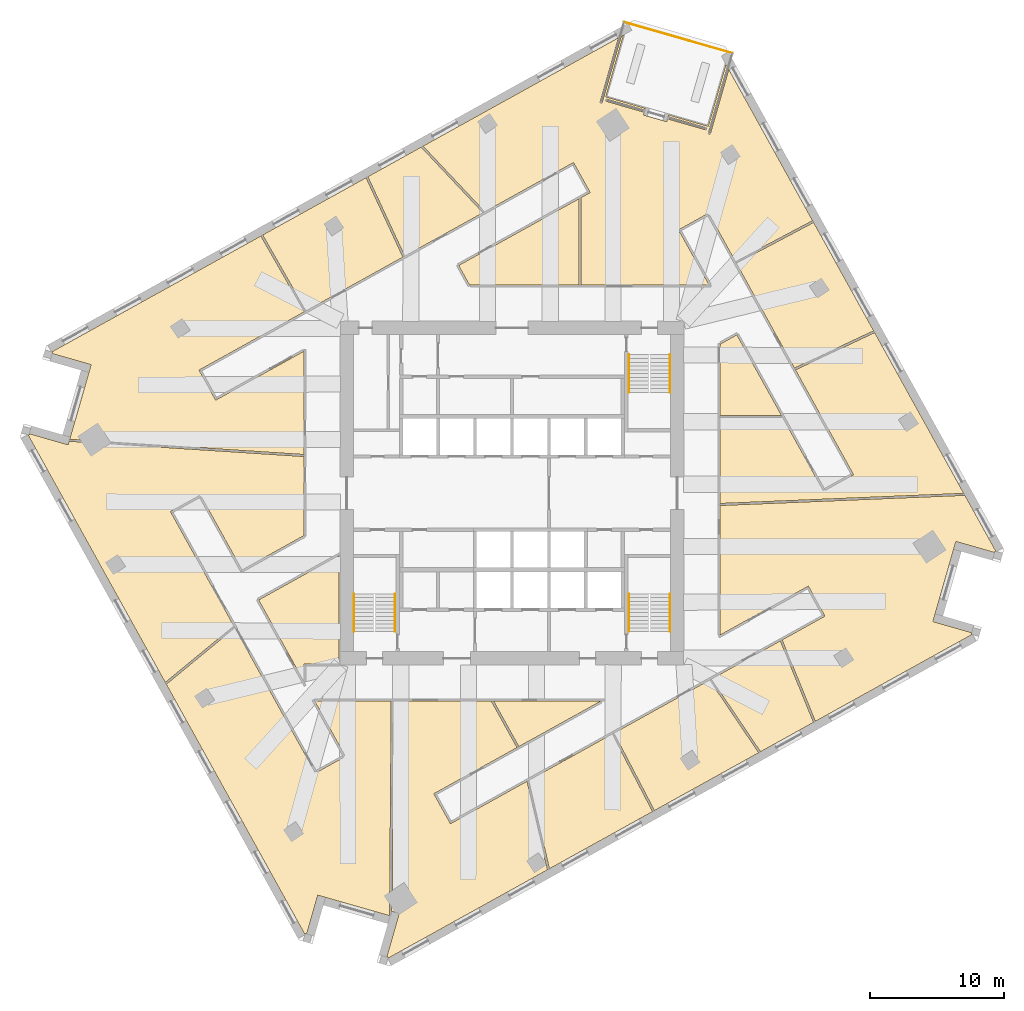
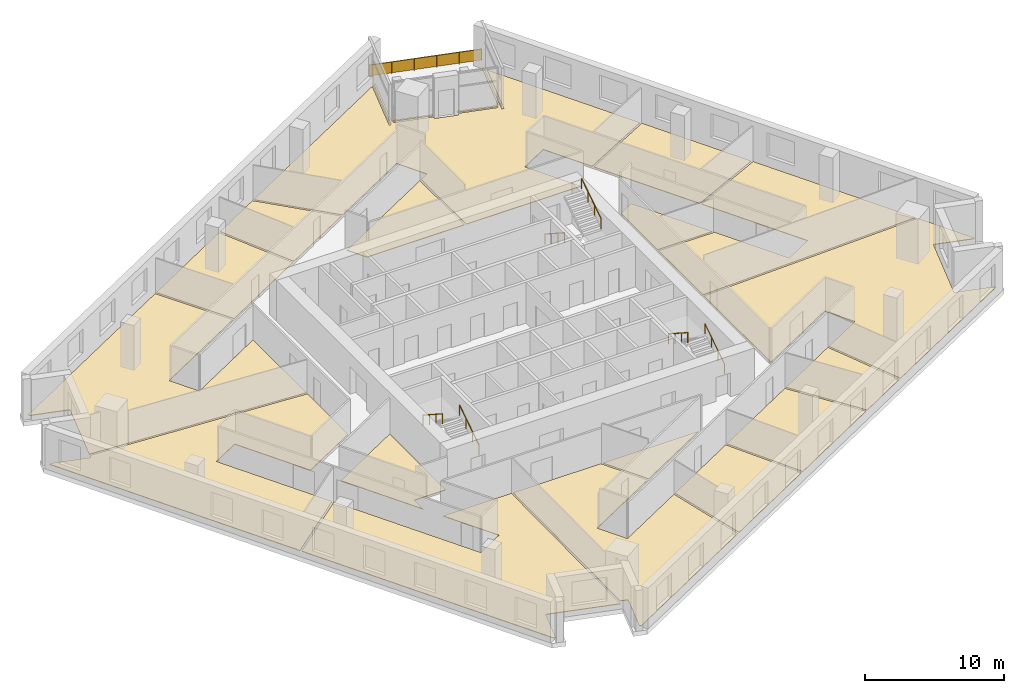
# One storey, part 10 of 11: 17 coverings, 7 railings.
"""IFC4 building model written with IfcOpenShell, lengths in metres."""

from ifc_helpers import new_model, si_unit, direction, frame, origin, origin_2d, place, context, subcontext, project, spatial, polyline, rectangle, circle, outline, extrude, material, layer, layer_set, type_object, element, save


model = new_model("IFC4")

# Units and contexts
model_context = context("Model", 3, precision=1e-05, world=origin(), true_north=direction((0.0, 1.0)))
body_context = subcontext(model_context, "Body", "Model", "MODEL_VIEW")
ifc_project = project(units=[si_unit("LENGTHUNIT", "METRE"), si_unit("AREAUNIT", "SQUARE_METRE"), si_unit("VOLUMEUNIT", "CUBIC_METRE"), si_unit("PLANEANGLEUNIT", "RADIAN"), si_unit("MASSUNIT", "GRAM", prefix="KILO")], contexts=[model_context])

# Site, building, storey
site_placement = place(None, origin())
site = spatial("IfcSite", under=ifc_project, at=site_placement, CompositionType="ELEMENT")
building_placement = place(site_placement, origin())
building = spatial("IfcBuilding", under=site, at=building_placement, Name="Dilmun Exchange Tower", CompositionType="ELEMENT")
storey_placement = place(building_placement, frame((0.0, 0.0, 135.699951171875)))
storey = spatial("IfcBuildingStorey", under=building, at=storey_placement, Name="L31", CompositionType="ELEMENT", Elevation=135.699951171875)

# Coverings
ifc_material_1 = material(Name="Carpet floor finish 50")
ifc_layer_1 = layer(ifc_material_1, 0.050048828125)
ifc_layer_set_1 = layer_set([ifc_layer_1], Name="Carpet floor finish 50")
covering_type_1 = type_object("IfcCoveringType", Name="Carpet floor finish 50", PredefinedType="FLOORING", material=ifc_layer_set_1)
covering_1_placement = place(storey_placement, origin())
element("IfcCovering", 1, at=covering_1_placement, inside=storey, type_object=covering_type_1, Name="Carpet floor finish 50 Open office 1", PredefinedType="FLOORING", context=body_context, shape_type="SweptSolid", body=[
    extrude(outline(polyline([(-15.47509765625, 2.724365234375), (-15.47509765625, -3.157470703125), (-20.093017578125, -5.71728515625), (-23.18701171875, -0.135498046875), (-25.4169921875, -1.371337890625), (-20.697265625, -9.886474609375), (-25.802001953125, -14.09033203125), (-36.01611328125, 4.33642578125), (-35.947998046875, 4.31689453125), (-35.94775390625, 4.31689453125), (-35.947509765625, 4.31689453125), (-35.947509765625, 4.31689453125), (-35.947265625, 4.31689453125), (-35.947021484375, 4.31689453125), (-35.94677734375, 4.31689453125), (-35.946533203125, 4.31689453125), (-35.946533203125, 4.317138671875), (-35.9462890625, 4.317138671875), (-35.946044921875, 4.3173828125), (-35.946044921875, 4.3173828125), (-35.94580078125, 4.317626953125), (-35.94580078125, 4.31787109375), (-35.94580078125, 4.31787109375), (-35.945556640625, 4.318115234375), (-35.945556640625, 4.318359375), (-35.915283203125, 4.42333984375), (-33.033447265625, 3.596923828125), (-33.033203125, 3.596923828125), (-33.033203125, 3.596923828125), (-33.032958984375, 3.596923828125), (-33.03271484375, 3.596923828125), (-33.032470703125, 3.596923828125), (-33.0322265625, 3.596923828125), (-33.031982421875, 3.59716796875), (-33.031982421875, 3.59716796875), (-33.03173828125, 3.597412109375), (-33.031494140625, 3.597412109375), (-33.031494140625, 3.597412109375), (-33.03125, 3.59765625), (-33.03125, 3.597900390625), (-33.031005859375, 3.597900390625), (-33.031005859375, 3.59814453125), (-33.031005859375, 3.598388671875), (-32.9560546875, 3.85986328125), (-15.47509765625, 2.724365234375)])), origin(), (0.0, 0.0, 1.0), 0.050048828125),
])
covering_2_placement = place(storey_placement, origin())
element("IfcCovering", 2, at=covering_2_placement, inside=storey, type_object=covering_type_1, Name="Carpet floor finish 50 Analyst office 1", PredefinedType="FLOORING", context=body_context, shape_type="SweptSolid", body=[
    extrude(outline(polyline([(-15.459228515625, 13.4921875), (-23.288818359375, 9.152099609375), (-22.052490234375, 6.921875), (-15.47509765625, 10.568115234375), (-15.47509765625, 2.87451171875), (-32.91357421875, 4.007568359375), (-32.865478515625, 4.175048828125), (-32.865478515625, 4.17529296875), (-32.865478515625, 4.17529296875), (-31.4873046875, 8.9814453125), (-31.4873046875, 8.981689453125), (-31.4873046875, 8.981689453125), (-31.4873046875, 8.98193359375), (-31.322021484375, 9.55810546875), (-31.322021484375, 9.558349609375), (-31.322021484375, 9.55859375), (-31.322021484375, 9.558837890625), (-31.322021484375, 9.55908203125), (-31.322021484375, 9.55908203125), (-31.322021484375, 9.559326171875), (-31.322265625, 9.5595703125), (-31.322265625, 9.559814453125), (-31.322509765625, 9.559814453125), (-31.322509765625, 9.56005859375), (-31.322509765625, 9.560302734375), (-31.32275390625, 9.560302734375), (-31.322998046875, 9.560546875), (-31.322998046875, 9.560546875), (-31.3232421875, 9.560546875), (-31.323486328125, 9.560791015625), (-34.205322265625, 10.386962890625), (-34.17529296875, 10.4921875), (-34.17529296875, 10.4921875), (-34.175048828125, 10.492431640625), (-34.175048828125, 10.49267578125), (-34.175048828125, 10.492919921875), (-34.17529296875, 10.492919921875), (-34.17529296875, 10.4931640625), (-34.17529296875, 10.493408203125), (-34.17529296875, 10.49365234375), (-34.175537109375, 10.49365234375), (-34.175537109375, 10.493896484375), (-34.17578125, 10.493896484375), (-34.17578125, 10.494140625), (-34.176025390625, 10.494384765625), (-34.17626953125, 10.494384765625), (-34.176513671875, 10.494384765625), (-34.176513671875, 10.494384765625), (-34.24462890625, 10.51416015625), (-18.68798828125, 19.13720703125), (-15.459228515625, 13.4921875)])), origin(), (0.0, 0.0, 1.0), 0.050048828125),
])
covering_3_placement = place(storey_placement, origin())
element("IfcCovering", 3, at=covering_3_placement, inside=storey, type_object=covering_type_1, Name="Carpet floor finish 50 Analyst office 2", PredefinedType="FLOORING", context=body_context, shape_type="SweptSolid", body=[
    extrude(outline(polyline([(-14.68408203125, -15.47509765625), (-8.986572265625, -15.47509765625), (-9.112060546875, -31.449951171875), (-13.875, -30.084228515625), (-13.875244140625, -30.083984375), (-13.87548828125, -30.083984375), (-14.4521484375, -29.918701171875), (-14.452392578125, -29.918701171875), (-14.452392578125, -29.918701171875), (-14.45263671875, -29.918701171875), (-14.452880859375, -29.918701171875), (-14.453125, -29.918701171875), (-14.453369140625, -29.918701171875), (-14.45361328125, -29.918701171875), (-14.45361328125, -29.9189453125), (-14.453857421875, -29.9189453125), (-14.4541015625, -29.919189453125), (-14.4541015625, -29.919189453125), (-14.4541015625, -29.91943359375), (-14.454345703125, -29.91943359375), (-14.45458984375, -29.919677734375), (-14.45458984375, -29.919921875), (-14.45458984375, -29.920166015625), (-15.281005859375, -32.802001953125), (-15.385986328125, -32.77197265625), (-15.38623046875, -32.771728515625), (-15.386474609375, -32.771728515625), (-15.38671875, -32.771728515625), (-15.386962890625, -32.771728515625), (-15.386962890625, -32.77197265625), (-15.38720703125, -32.77197265625), (-15.387451171875, -32.77197265625), (-15.3876953125, -32.772216796875), (-15.3876953125, -32.772216796875), (-15.387939453125, -32.772216796875), (-15.38818359375, -32.7724609375), (-15.38818359375, -32.772705078125), (-15.38818359375, -32.772705078125), (-15.388427734375, -32.77294921875), (-15.388427734375, -32.773193359375), (-15.388671875, -32.773193359375), (-15.408203125, -32.84130859375), (-25.72802734375, -14.2236328125), (-20.623291015625, -10.02001953125), (-14.632080078125, -20.828369140625), (-12.40185546875, -19.592041015625), (-14.68408203125, -15.47509765625)])), origin(), (0.0, 0.0, 1.0), 0.050048828125),
])
covering_4_placement = place(storey_placement, origin())
element("IfcCovering", 4, at=covering_4_placement, inside=storey, type_object=covering_type_1, Name="Carpet floor finish 50 Meeting room 1", PredefinedType="FLOORING", context=body_context, shape_type="SweptSolid", body=[
    extrude(outline(polyline([(-12.875, -4.6318359375), (-12.875, -12.724853515625), (-15.474609375, -12.72509765625), (-15.47509765625, -14.048095703125), (-18.856689453125, -7.947509765625), (-12.875, -4.6318359375)])), origin(), (0.0, 0.0, 1.0), 0.050048828125),
])
covering_5_placement = place(storey_placement, origin())
element("IfcCovering", 5, at=covering_5_placement, inside=storey, type_object=covering_type_1, Name="Carpet floor finish 50 Break-out lounge 1", PredefinedType="FLOORING", context=body_context, shape_type="SweptSolid", body=[
    extrude(outline(polyline([(-8.11376953125, 17.56396484375), (-15.328125, 13.56494140625), (-18.556884765625, 19.2099609375), (-10.860595703125, 23.476318359375), (-8.11376953125, 17.56396484375)])), origin(), (0.0, 0.0, 1.0), 0.050048828125),
])
covering_6_placement = place(storey_placement, origin())
element("IfcCovering", 6, at=covering_6_placement, inside=storey, type_object=covering_type_1, Name="Carpet floor finish 50 Open office 2", PredefinedType="FLOORING", context=body_context, shape_type="SweptSolid", body=[
    extrude(outline(polyline([(-8.836669921875, -15.47509765625), (-1.54052734375, -15.47509765625), (0.3779296875, -18.936279296875), (-5.81591796875, -22.3701171875), (-4.579345703125, -24.599853515625), (1.1162109375, -21.442626953125), (2.647216796875, -28.02880859375), (-9.23046875, -34.61279296875), (-9.2109375, -34.544677734375), (-9.2109375, -34.54443359375), (-9.210693359375, -34.544189453125), (-9.210693359375, -34.5439453125), (-9.210693359375, -34.543701171875), (-9.2109375, -34.543701171875), (-9.2109375, -34.54345703125), (-9.2109375, -34.543212890625), (-9.211181640625, -34.54296875), (-9.211181640625, -34.54296875), (-9.211181640625, -34.542724609375), (-9.21142578125, -34.54248046875), (-9.211669921875, -34.54248046875), (-9.211669921875, -34.542236328125), (-9.2119140625, -34.542236328125), (-9.212158203125, -34.542236328125), (-9.21240234375, -34.5419921875), (-9.3173828125, -34.511962890625), (-8.392822265625, -31.288330078125), (-8.392822265625, -31.2880859375), (-8.392822265625, -31.2880859375), (-8.392822265625, -31.287841796875), (-8.392822265625, -31.28759765625), (-8.392822265625, -31.287353515625), (-8.392822265625, -31.287109375), (-8.39306640625, -31.287109375), (-8.39306640625, -31.286865234375), (-8.393310546875, -31.28662109375), (-8.393310546875, -31.28662109375), (-8.393310546875, -31.286376953125), (-8.3935546875, -31.2861328125), (-8.393798828125, -31.2861328125), (-8.393798828125, -31.285888671875), (-8.39404296875, -31.285888671875), (-8.394287109375, -31.285888671875), (-8.959716796875, -31.123779296875), (-8.836669921875, -15.47509765625)])), origin(), (0.0, 0.0, 1.0), 0.050048828125),
])
covering_7_placement = place(storey_placement, origin())
element("IfcCovering", 7, at=covering_7_placement, inside=storey, type_object=covering_type_1, Name="Carpet floor finish 50 Meeting room 2", PredefinedType="FLOORING", context=body_context, shape_type="SweptSolid", body=[
    extrude(outline(polyline([(-1.369140625, -15.47509765625), (6.62255859375, -15.47509765625), (0.50927734375, -18.863525390625), (-1.369140625, -15.47509765625)])), origin(), (0.0, 0.0, 1.0), 0.050048828125),
])
covering_8_placement = place(storey_placement, origin())
element("IfcCovering", 8, at=covering_8_placement, inside=storey, type_object=covering_type_1, Name="Carpet floor finish 50 Break-out lounge 2", PredefinedType="FLOORING", context=body_context, shape_type="SweptSolid", body=[
    extrude(outline(polyline([(7.4580078125, -17.927490234375), (10.466796875, -23.6943359375), (2.78369140625, -27.953125), (1.252685546875, -21.3671875), (7.4580078125, -17.927490234375)])), origin(), (0.0, 0.0, 1.0), 0.050048828125),
])
covering_9_placement = place(storey_placement, origin())
element("IfcCovering", 9, at=covering_9_placement, inside=storey, type_object=covering_type_1, Name="Carpet floor finish 50 Garden lounge", PredefinedType="FLOORING", context=body_context, shape_type="SweptSolid", body=[
    extrude(outline(polyline([(14.632080078125, 20.828369140625), (12.40185546875, 19.592041015625), (14.68408203125, 15.47509765625), (5.120361328125, 15.47509765625), (5.120361328125, 21.984130859375), (5.81591796875, 22.36962890625), (4.57958984375, 24.60009765625), (-2.021240234375, 20.94091796875), (-6.622802734375, 25.8251953125), (7.922119140625, 33.887451171875), (6.540283203125, 29.068603515625), (6.540283203125, 29.068359375), (6.540283203125, 29.068115234375), (6.540283203125, 29.068115234375), (6.540283203125, 29.06787109375), (6.540283203125, 29.067626953125), (6.540283203125, 29.0673828125), (6.540283203125, 29.0673828125), (6.540283203125, 29.067138671875), (6.54052734375, 29.06689453125), (6.540771484375, 29.06689453125), (6.540771484375, 29.066650390625), (6.541015625, 29.06640625), (6.541015625, 29.06640625), (6.541259765625, 29.06640625), (6.54150390625, 29.066162109375), (6.54150390625, 29.066162109375), (6.6953125, 29.02197265625), (6.695556640625, 29.02197265625), (6.69580078125, 29.02197265625), (6.696044921875, 29.02197265625), (6.6962890625, 29.02197265625), (6.6962890625, 29.02197265625), (6.696533203125, 29.02197265625), (6.69677734375, 29.022216796875), (6.697021484375, 29.022216796875), (6.697021484375, 29.022216796875), (6.697265625, 29.0224609375), (6.697509765625, 29.022705078125), (6.697509765625, 29.022705078125), (6.69775390625, 29.02294921875), (6.69775390625, 29.02294921875), (6.697998046875, 29.023193359375), (6.697998046875, 29.0234375), (8.125, 34.0), (8.3017578125, 34.097900390625), (6.97998046875, 29.48876953125), (9.923583984375, 28.64453125), (9.884033203125, 28.507080078125), (7.0126953125, 29.33056640625), (7.012451171875, 29.33056640625), (7.01220703125, 29.33056640625), (7.01220703125, 29.33056640625), (7.011962890625, 29.33056640625), (7.01171875, 29.33056640625), (7.011474609375, 29.33056640625), (7.011474609375, 29.330322265625), (7.01123046875, 29.330322265625), (7.010986328125, 29.330078125), (7.010986328125, 29.330078125), (7.0107421875, 29.330078125), (7.010498046875, 29.329833984375), (7.010498046875, 29.32958984375), (7.010498046875, 29.32958984375), (7.01025390625, 29.329345703125), (7.01025390625, 29.3291015625), (6.966064453125, 29.17529296875), (6.966064453125, 29.17529296875), (6.966064453125, 29.175048828125), (6.966064453125, 29.1748046875), (6.966064453125, 29.174560546875), (6.966064453125, 29.17431640625), (6.966064453125, 29.17431640625), (6.96630859375, 29.174072265625), (6.96630859375, 29.173828125), (6.96630859375, 29.173583984375), (6.966552734375, 29.173583984375), (6.966796875, 29.17333984375), (6.966796875, 29.173095703125), (6.967041015625, 29.173095703125), (6.967041015625, 29.173095703125), (6.96728515625, 29.1728515625), (6.967529296875, 29.1728515625), (9.8388671875, 28.349609375), (9.77880859375, 28.139892578125), (9.77880859375, 28.139892578125), (9.77880859375, 28.1396484375), (9.77880859375, 28.139404296875), (9.77880859375, 28.13916015625), (9.77880859375, 28.138916015625), (9.77880859375, 28.138916015625), (9.77880859375, 28.138671875), (9.779052734375, 28.138427734375), (9.779052734375, 28.13818359375), (9.779296875, 28.13818359375), (9.779296875, 28.137939453125), (9.779541015625, 28.137939453125), (9.779541015625, 28.1376953125), (9.77978515625, 28.1376953125), (9.780029296875, 28.1376953125), (9.7802734375, 28.137451171875), (11.510498046875, 27.641357421875), (11.5107421875, 27.641357421875), (11.510986328125, 27.641357421875), (11.510986328125, 27.641357421875), (11.51123046875, 27.641357421875), (11.511474609375, 27.641357421875), (11.51171875, 27.641357421875), (11.51171875, 27.6416015625), (11.511962890625, 27.6416015625), (11.51220703125, 27.6416015625), (11.51220703125, 27.641845703125), (11.512451171875, 27.641845703125), (11.5126953125, 27.64208984375), (11.5126953125, 27.64208984375), (11.5126953125, 27.642333984375), (11.512939453125, 27.642578125), (11.512939453125, 27.642822265625), (11.572998046875, 27.852294921875), (14.4443359375, 27.02880859375), (14.444580078125, 27.02880859375), (14.44482421875, 27.02880859375), (14.445068359375, 27.02880859375), (14.4453125, 27.02880859375), (14.4453125, 27.02880859375), (14.445556640625, 27.02880859375), (14.44580078125, 27.029052734375), (14.44580078125, 27.029052734375), (14.446044921875, 27.029296875), (14.4462890625, 27.029296875), (14.4462890625, 27.029296875), (14.446533203125, 27.029541015625), (14.446533203125, 27.02978515625), (14.44677734375, 27.02978515625), (14.44677734375, 27.030029296875), (14.447021484375, 27.0302734375), (14.490966796875, 27.18408203125), (14.490966796875, 27.18408203125), (14.490966796875, 27.184326171875), (14.4912109375, 27.1845703125), (14.490966796875, 27.184814453125), (14.490966796875, 27.18505859375), (14.490966796875, 27.185302734375), (14.490966796875, 27.185302734375), (14.49072265625, 27.185546875), (14.49072265625, 27.185791015625), (14.490478515625, 27.185791015625), (14.490478515625, 27.18603515625), (14.490234375, 27.186279296875), (14.489990234375, 27.186279296875), (14.489990234375, 27.186279296875), (14.48974609375, 27.1865234375), (14.489501953125, 27.1865234375), (11.6181640625, 28.010009765625), (11.65771484375, 28.1474609375), (14.60107421875, 27.303466796875), (15.9228515625, 31.91259765625), (16.02099609375, 31.73583984375), (14.593994140625, 26.75927734375), (14.59375, 26.759033203125), (14.59375, 26.7587890625), (14.59375, 26.7587890625), (14.59375, 26.758544921875), (14.59375, 26.75830078125), (14.593994140625, 26.758056640625), (14.593994140625, 26.758056640625), (14.593994140625, 26.7578125), (14.59423828125, 26.757568359375), (14.59423828125, 26.757568359375), (14.594482421875, 26.75732421875), (14.594482421875, 26.757080078125), (14.5947265625, 26.757080078125), (14.594970703125, 26.757080078125), (14.59521484375, 26.7568359375), (14.59521484375, 26.7568359375), (14.7490234375, 26.712646484375), (14.749267578125, 26.712646484375), (14.74951171875, 26.712646484375), (14.74951171875, 26.712646484375), (14.749755859375, 26.712646484375), (14.75, 26.712646484375), (14.750244140625, 26.712646484375), (14.75048828125, 26.712890625), (14.75048828125, 26.712890625), (14.750732421875, 26.712890625), (14.7509765625, 26.713134765625), (14.7509765625, 26.71337890625), (14.751220703125, 26.71337890625), (14.751220703125, 26.713623046875), (14.75146484375, 26.713623046875), (14.75146484375, 26.7138671875), (14.75146484375, 26.714111328125), (16.13330078125, 31.532958984375), (22.373291015625, 20.275390625), (16.62451171875, 17.234130859375), (14.632080078125, 20.828369140625)])), origin(), (0.0, 0.0, 1.0), 0.050048828125),
])
covering_10_placement = place(storey_placement, origin())
element("IfcCovering", 10, at=covering_10_placement, inside=storey, type_object=covering_type_1, Name="Carpet floor finish 50 Break-out lounge 3", PredefinedType="FLOORING", context=body_context, shape_type="SweptSolid", body=[
    extrude(outline(polyline([(7.589111328125, -17.854736328125), (14.709228515625, -13.907958984375), (18.359375, -19.319580078125), (10.597900390625, -23.62158203125), (7.589111328125, -17.854736328125)])), origin(), (0.0, 0.0, 1.0), 0.050048828125),
])
covering_11_placement = place(storey_placement, origin())
element("IfcCovering", 11, at=covering_11_placement, inside=storey, type_object=covering_type_1, Name="Carpet floor finish 50 Meeting room 3", PredefinedType="FLOORING", context=body_context, shape_type="SweptSolid", body=[
    extrude(outline(polyline([(15.47509765625, 11.082763671875), (16.732421875, 11.77978515625), (20.052001953125, 5.790771484375), (15.47509765625, 5.790771484375), (15.47509765625, 11.082763671875)])), origin(), (0.0, 0.0, 1.0), 0.050048828125),
])
covering_12_placement = place(storey_placement, origin())
element("IfcCovering", 12, at=covering_12_placement, inside=storey, type_object=covering_type_1, Name="Carpet floor finish 50 Break-out lounge 4", PredefinedType="FLOORING", context=body_context, shape_type="SweptSolid", body=[
    extrude(outline(polyline([(16.697265625, 17.102783203125), (22.4462890625, 20.144287109375), (26.9169921875, 12.07861328125), (21.01904296875, 9.306396484375), (16.697265625, 17.102783203125)])), origin(), (0.0, 0.0, 1.0), 0.050048828125),
])
covering_13_placement = place(storey_placement, origin())
element("IfcCovering", 13, at=covering_13_placement, inside=storey, type_object=covering_type_1, Name="Carpet floor finish 50 Open office 3", PredefinedType="FLOORING", context=body_context, shape_type="SweptSolid", body=[
    extrude(outline(polyline([(20.10205078125, -10.918701171875), (23.288818359375, -9.152099609375), (22.052490234375, -6.921875), (15.47509765625, -10.568115234375), (15.47509765625, -0.920166015625), (33.70263671875, -0.1630859375), (36.01611328125, -4.33642578125), (35.947998046875, -4.31689453125), (35.94775390625, -4.31689453125), (35.947509765625, -4.31689453125), (35.947509765625, -4.31689453125), (35.947265625, -4.31689453125), (35.947021484375, -4.31689453125), (35.94677734375, -4.31689453125), (35.946533203125, -4.31689453125), (35.946533203125, -4.317138671875), (35.9462890625, -4.317138671875), (35.946044921875, -4.3173828125), (35.946044921875, -4.3173828125), (35.94580078125, -4.317626953125), (35.94580078125, -4.31787109375), (35.94580078125, -4.31787109375), (35.945556640625, -4.318115234375), (35.945556640625, -4.318359375), (35.915283203125, -4.42333984375), (33.033447265625, -3.596923828125), (33.033203125, -3.596923828125), (33.033203125, -3.596923828125), (33.032958984375, -3.596923828125), (33.03271484375, -3.596923828125), (33.032470703125, -3.596923828125), (33.0322265625, -3.596923828125), (33.031982421875, -3.59716796875), (33.031982421875, -3.59716796875), (33.03173828125, -3.597412109375), (33.031494140625, -3.597412109375), (33.031494140625, -3.597412109375), (33.03125, -3.59765625), (33.03125, -3.597900390625), (33.031005859375, -3.597900390625), (33.031005859375, -3.59814453125), (33.031005859375, -3.598388671875), (32.865478515625, -4.175048828125), (32.865478515625, -4.17529296875), (32.865478515625, -4.17529296875), (31.4873046875, -8.9814453125), (31.4873046875, -8.981689453125), (31.4873046875, -8.981689453125), (31.4873046875, -8.98193359375), (31.322021484375, -9.55810546875), (31.322021484375, -9.558349609375), (31.322021484375, -9.55859375), (31.322021484375, -9.558837890625), (31.322021484375, -9.55908203125), (31.322021484375, -9.55908203125), (31.322021484375, -9.559326171875), (31.322265625, -9.5595703125), (31.322265625, -9.559814453125), (31.322509765625, -9.559814453125), (31.322509765625, -9.56005859375), (31.322509765625, -9.560302734375), (31.32275390625, -9.560302734375), (31.322998046875, -9.560546875), (31.322998046875, -9.560546875), (31.3232421875, -9.560546875), (31.323486328125, -9.560791015625), (34.205322265625, -10.386962890625), (34.17529296875, -10.4921875), (34.17529296875, -10.4921875), (34.175048828125, -10.492431640625), (34.175048828125, -10.49267578125), (34.175048828125, -10.492919921875), (34.17529296875, -10.492919921875), (34.17529296875, -10.4931640625), (34.17529296875, -10.493408203125), (34.17529296875, -10.49365234375), (34.175537109375, -10.49365234375), (34.175537109375, -10.493896484375), (34.17578125, -10.493896484375), (34.17578125, -10.494140625), (34.176025390625, -10.494384765625), (34.17626953125, -10.494384765625), (34.176513671875, -10.494384765625), (34.176513671875, -10.494384765625), (34.24462890625, -10.51416015625), (22.57373046875, -16.9833984375), (20.10205078125, -10.918701171875)])), origin(), (0.0, 0.0, 1.0), 0.050048828125),
])

# Railings
ifc_material_2 = material(Name="Stainless steel", Category="steel")
railing_type_1 = type_object("IfcRailingType", Name="Stair handrail 900", PredefinedType="HANDRAIL", material=ifc_material_2)
railing_1_placement = place(storey_placement, frame((8.699951171875, 10.300048828125, 0.181884765625)))
element("IfcRailing", 14, at=railing_1_placement, inside=storey, type_object=railing_type_1, Name="L31 ST1 stair handrail 1", PredefinedType="HANDRAIL", context=body_context, shape_type="SweptSolid", body=[
    extrude(circle(Radius=0.02392578125, at=origin_2d()), frame((0.0, 0.0, 0.8759765625), z_axis=(0.0, -0.838705829183, 0.544584733623), x_axis=(1.0, 0.0, 0.0)), (0.0, 0.0, 1.0), 3.338623046875),
    extrude(circle(Radius=0.02099609375, at=origin_2d()), origin(), (0.0, 0.0, 1.0), 0.851806640625),
    extrude(circle(Radius=0.02099609375, at=origin_2d()), frame((0.0, -0.933349609375, 0.60595703125)), (0.0, 0.0, 1.0), 0.851806640625),
    extrude(circle(Radius=0.02099609375, at=origin_2d()), frame((0.0, -1.86669921875, 1.212158203125)), (0.0, 0.0, 1.0), 0.851806640625),
    extrude(circle(Radius=0.02099609375, at=origin_2d()), frame((0.0, -2.800048828125, 1.818115234375)), (0.0, 0.0, 1.0), 0.851806640625),
])
for number, where, name in (
    (15, (11.75, 7.5, 2.181884765625), "L31 ST1 stair handrail 2"),
    (16, (-8.699951171875, -10.300048828125, 0.181884765625), "L31 ST2 stair handrail 1"),
):
    element("IfcRailing", number, at=place(storey_placement, frame(where)), inside=storey, type_object=railing_type_1, Name=name, PredefinedType="HANDRAIL", context=body_context, shape_type="SweptSolid", body=[
        extrude(circle(Radius=0.02392578125, at=origin_2d()), frame((0.0, 0.0, 0.8759765625), z_axis=(0.0, 0.838705829183, 0.544584733623), x_axis=(-1.0, 0.0, 0.0)), (0.0, 0.0, 1.0), 3.338623046875),
        extrude(circle(Radius=0.02099609375, at=origin_2d()), origin(), (0.0, 0.0, 1.0), 0.851806640625),
        extrude(circle(Radius=0.02099609375, at=origin_2d()), frame((0.0, 0.933349609375, 0.60595703125)), (0.0, 0.0, 1.0), 0.851806640625),
        extrude(circle(Radius=0.02099609375, at=origin_2d()), frame((0.0, 1.86669921875, 1.212158203125)), (0.0, 0.0, 1.0), 0.851806640625),
        extrude(circle(Radius=0.02099609375, at=origin_2d()), frame((0.0, 2.800048828125, 1.818115234375)), (0.0, 0.0, 1.0), 0.851806640625),
    ])
railing_2_placement = place(storey_placement, frame((-11.75, -7.5, 2.181884765625)))
element("IfcRailing", 17, at=railing_2_placement, inside=storey, type_object=railing_type_1, Name="L31 ST2 stair handrail 2", PredefinedType="HANDRAIL", context=body_context, shape_type="SweptSolid", body=[
    extrude(circle(Radius=0.02392578125, at=origin_2d()), frame((0.0, 0.0, 0.8759765625), z_axis=(0.0, -0.838705829183, 0.544584733623), x_axis=(1.0, 0.0, 0.0)), (0.0, 0.0, 1.0), 3.338623046875),
    extrude(circle(Radius=0.02099609375, at=origin_2d()), origin(), (0.0, 0.0, 1.0), 0.851806640625),
    extrude(circle(Radius=0.02099609375, at=origin_2d()), frame((0.0, -0.933349609375, 0.60595703125)), (0.0, 0.0, 1.0), 0.851806640625),
    extrude(circle(Radius=0.02099609375, at=origin_2d()), frame((0.0, -1.86669921875, 1.212158203125)), (0.0, 0.0, 1.0), 0.851806640625),
    extrude(circle(Radius=0.02099609375, at=origin_2d()), frame((0.0, -2.800048828125, 1.818115234375)), (0.0, 0.0, 1.0), 0.851806640625),
])
railing_3_placement = place(storey_placement, frame((11.75, -10.300048828125, 0.181884765625)))
element("IfcRailing", 18, at=railing_3_placement, inside=storey, type_object=railing_type_1, Name="L31 ST3 stair handrail 1", PredefinedType="HANDRAIL", context=body_context, shape_type="SweptSolid", body=[
    extrude(circle(Radius=0.02392578125, at=origin_2d()), frame((0.0, 0.0, 0.8759765625), z_axis=(0.0, 0.838705829183, 0.544584733623), x_axis=(-1.0, 0.0, 0.0)), (0.0, 0.0, 1.0), 3.338623046875),
    extrude(circle(Radius=0.02099609375, at=origin_2d()), origin(), (0.0, 0.0, 1.0), 0.851806640625),
    extrude(circle(Radius=0.02099609375, at=origin_2d()), frame((0.0, 0.933349609375, 0.60595703125)), (0.0, 0.0, 1.0), 0.851806640625),
    extrude(circle(Radius=0.02099609375, at=origin_2d()), frame((0.0, 1.86669921875, 1.212158203125)), (0.0, 0.0, 1.0), 0.851806640625),
    extrude(circle(Radius=0.02099609375, at=origin_2d()), frame((0.0, 2.800048828125, 1.818115234375)), (0.0, 0.0, 1.0), 0.851806640625),
])
railing_4_placement = place(storey_placement, frame((8.699951171875, -7.5, 2.181884765625)))
element("IfcRailing", 19, at=railing_4_placement, inside=storey, type_object=railing_type_1, Name="L31 ST3 stair handrail 2", PredefinedType="HANDRAIL", context=body_context, shape_type="SweptSolid", body=[
    extrude(circle(Radius=0.02392578125, at=origin_2d()), frame((0.0, 0.0, 0.8759765625), z_axis=(0.0, -0.838705829183, 0.544584733623), x_axis=(1.0, 0.0, 0.0)), (0.0, 0.0, 1.0), 3.338623046875),
    extrude(circle(Radius=0.02099609375, at=origin_2d()), origin(), (0.0, 0.0, 1.0), 0.851806640625),
    extrude(circle(Radius=0.02099609375, at=origin_2d()), frame((0.0, -0.933349609375, 0.60595703125)), (0.0, 0.0, 1.0), 0.851806640625),
    extrude(circle(Radius=0.02099609375, at=origin_2d()), frame((0.0, -1.86669921875, 1.212158203125)), (0.0, 0.0, 1.0), 0.851806640625),
    extrude(circle(Radius=0.02099609375, at=origin_2d()), frame((0.0, -2.800048828125, 1.818115234375)), (0.0, 0.0, 1.0), 0.851806640625),
])

# Covering
ifc_material_3 = material(Name="Stone floor finish 50", Category="masonry")
ifc_layer_2 = layer(ifc_material_3, 0.050048828125)
ifc_layer_set_2 = layer_set([ifc_layer_2], Name="Stone floor finish 50")
covering_type_2 = type_object("IfcCoveringType", Name="Stone floor finish 50", PredefinedType="FLOORING", material=ifc_layer_set_2)
covering_14_placement = place(storey_placement, origin())
element("IfcCovering", 20, at=covering_14_placement, inside=storey, type_object=covering_type_2, Name="Stone floor finish 50 Reception", PredefinedType="FLOORING", context=body_context, shape_type="SweptSolid", body=[
    extrude(outline(polyline([(25.417236328125, 1.37158203125), (21.091796875, 9.1748046875), (26.989990234375, 11.947265625), (33.621337890625, -0.01611328125), (15.47509765625, -0.77001953125), (15.47509765625, 5.640625), (20.13525390625, 5.640625), (23.18701171875, 0.13525390625), (25.417236328125, 1.37158203125)])), origin(), (0.0, 0.0, 1.0), 0.050048828125),
])

# Railing
railing_type_2 = type_object("IfcRailingType", Name="Terrace guard 1100 stainless steel", PredefinedType="GUARDRAIL", material=ifc_material_2)
railing_5_placement = place(storey_placement, frame((8.3408203125, 35.050537109375, 0.0)))
element("IfcRailing", 21, at=railing_5_placement, inside=storey, type_object=railing_type_2, Name="Terrace guard 1", PredefinedType="GUARDRAIL", context=body_context, shape_type="SweptSolid", body=[
    extrude(circle(Radius=0.02392578125, at=origin_2d()), frame((0.0, 0.0, 1.076171875), z_axis=(0.961260692501, -0.275640855196, 0.0), x_axis=(0.275640855196, 0.961260692501, 0.0)), (0.0, 0.0, 1.0), 8.3779296875),
    extrude(rectangle(XDim=0.011962890625, YDim=0.951904296875, at=origin_2d()), frame((0.0, 0.0, 0.576171875), z_axis=(0.961260692501, -0.275640855196, 0.0), x_axis=(0.275640855196, 0.961260692501, 0.0)), (0.0, 0.0, 1.0), 8.3779296875),
    extrude(circle(Radius=0.02099609375, at=origin_2d()), origin(), (0.0, 0.0, 1.0), 1.052001953125),
    extrude(circle(Radius=0.02099609375, at=origin_2d()), frame((1.610595703125, -0.4619140625, 0.0)), (0.0, 0.0, 1.0), 1.052001953125),
    extrude(circle(Radius=0.02099609375, at=origin_2d()), frame((3.221435546875, -0.923828125, 0.0)), (0.0, 0.0, 1.0), 1.052001953125),
    extrude(circle(Radius=0.02099609375, at=origin_2d()), frame((4.83203125, -1.385498046875, 0.0)), (0.0, 0.0, 1.0), 1.052001953125),
    extrude(circle(Radius=0.02099609375, at=origin_2d()), frame((6.44287109375, -1.847412109375, 0.0)), (0.0, 0.0, 1.0), 1.052001953125),
    extrude(circle(Radius=0.02099609375, at=origin_2d()), frame((8.053466796875, -2.309326171875, 0.0)), (0.0, 0.0, 1.0), 1.052001953125),
])

# Coverings
ifc_material_4 = material(Name="Tile floor finish 50")
ifc_layer_3 = layer(ifc_material_4, 0.050048828125)
ifc_layer_set_3 = layer_set([ifc_layer_3], Name="Tile floor finish 50")
covering_type_3 = type_object("IfcCoveringType", Name="Tile floor finish 50", PredefinedType="FLOORING", material=ifc_layer_set_3)
covering_15_placement = place(storey_placement, origin())
element("IfcCovering", 22, at=covering_15_placement, inside=storey, type_object=covering_type_3, Name="Tile floor finish 50 Pantry 1", PredefinedType="FLOORING", context=body_context, shape_type="SweptSolid", body=[
    extrude(outline(polyline([(-10.72900390625, 23.549072265625), (-6.75830078125, 25.75), (-2.15673828125, 20.865966796875), (-7.982177734375, 17.636962890625), (-10.72900390625, 23.549072265625)])), origin(), (0.0, 0.0, 1.0), 0.050048828125),
])
covering_16_placement = place(storey_placement, origin())
element("IfcCovering", 23, at=covering_16_placement, inside=storey, type_object=covering_type_3, Name="Tile floor finish 50 Pantry 2", PredefinedType="FLOORING", context=body_context, shape_type="SweptSolid", body=[
    extrude(outline(polyline([(4.97021484375, 15.47509765625), (-3.157470703125, 15.47509765625), (-3.971923828125, 16.9443359375), (4.97021484375, 21.90087890625), (4.97021484375, 15.47509765625)])), origin(), (0.0, 0.0, 1.0), 0.050048828125),
])
covering_17_placement = place(storey_placement, origin())
element("IfcCovering", 24, at=covering_17_placement, inside=storey, type_object=covering_type_3, Name="Tile floor finish 50 Pantry 3", PredefinedType="FLOORING", context=body_context, shape_type="SweptSolid", body=[
    extrude(outline(polyline([(19.969970703125, -10.991943359375), (22.441650390625, -17.056640625), (18.4912109375, -19.24658203125), (14.8408203125, -13.8349609375), (19.969970703125, -10.991943359375)])), origin(), (0.0, 0.0, 1.0), 0.050048828125),
])

save(model, "model.ifc")
